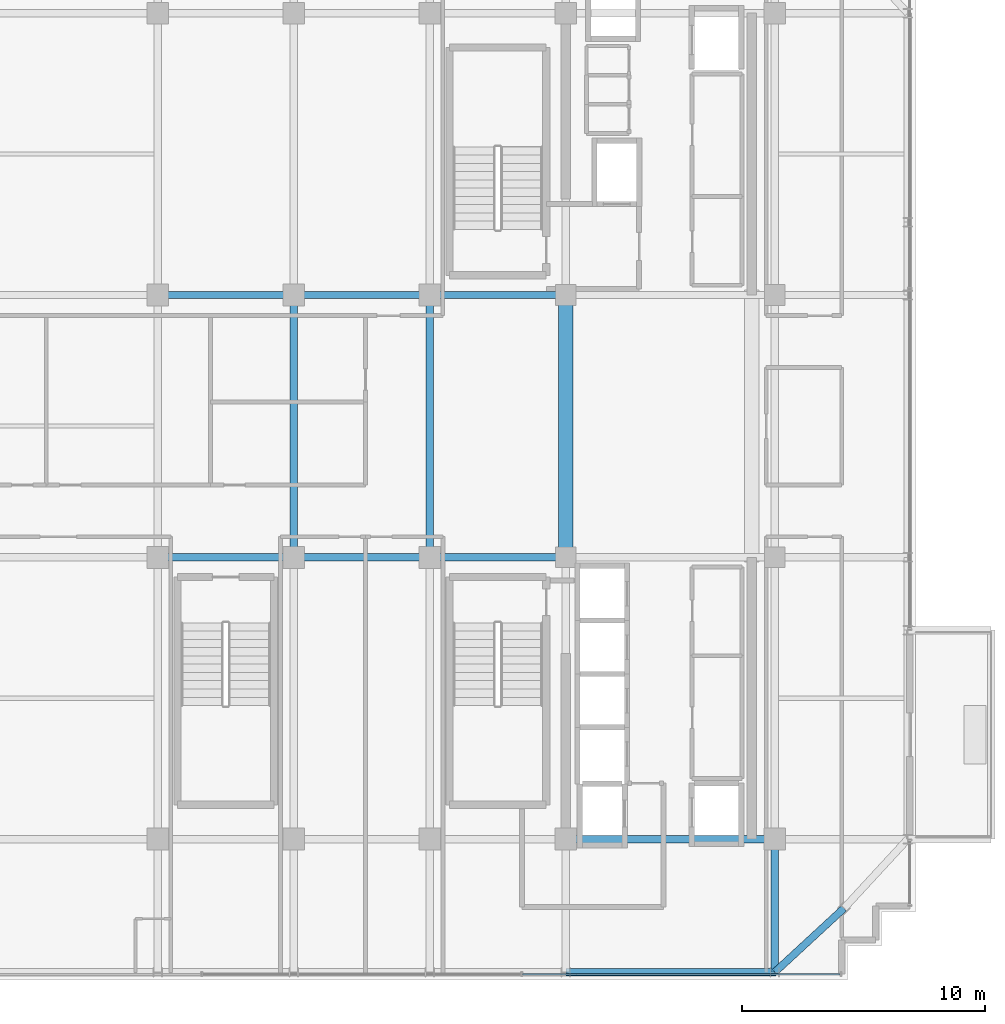
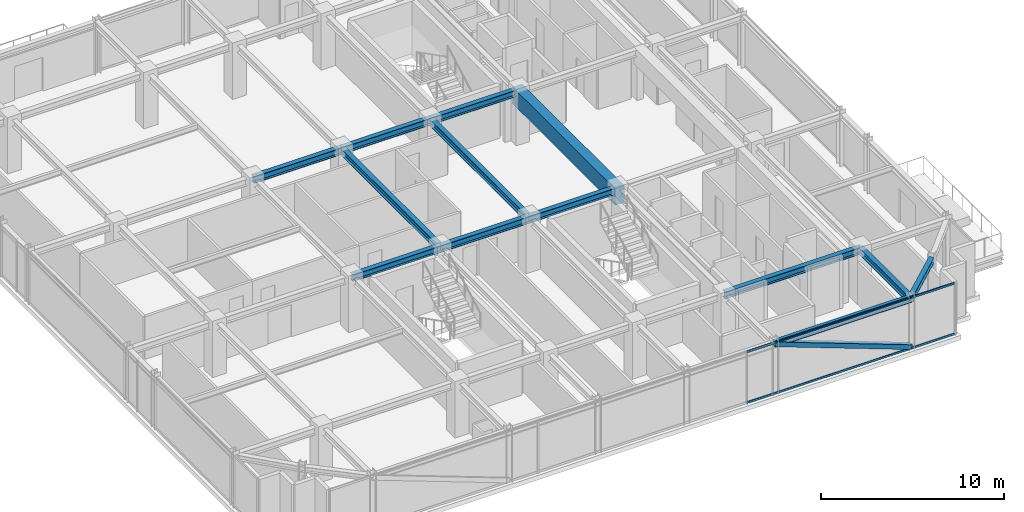
# One storey, part 11 of 31: 13 beams, 3 members, 1 element without a shape of its own.
"""IFC4 building model written with IfcOpenShell, lengths in metres."""

from ifc_helpers import new_model, si_unit, direction, frame, origin, origin_2d, place, context, subcontext, project, spatial, rectangle, hollow_rectangle, i_section, extrude, source, transform, mapped, material, material_profile, profile_set, type_object, element, aggregate, save


model = new_model("IFC4")

# Units and contexts
model_context = context("Model", 3, precision=1e-05, world=origin(), true_north=direction((0.0, 1.0)))
body_context = subcontext(model_context, "Body", "Model", "MODEL_VIEW")
ifc_project = project(units=[si_unit("LENGTHUNIT", "METRE"), si_unit("AREAUNIT", "SQUARE_METRE"), si_unit("VOLUMEUNIT", "CUBIC_METRE"), si_unit("PLANEANGLEUNIT", "RADIAN"), si_unit("MASSUNIT", "GRAM", prefix="KILO")], contexts=[model_context])

# Site, building, storey
site_placement = place(None, origin())
site = spatial("IfcSite", under=ifc_project, at=site_placement, CompositionType="ELEMENT")
building_placement = place(site_placement, origin())
building = spatial("IfcBuilding", under=site, at=building_placement, Name="Nahalor Promenade Grand Hotel", CompositionType="ELEMENT")
storey_placement = place(building_placement, frame((0.0, 0.0, 327.14990234375)))
storey = spatial("IfcBuildingStorey", under=building, at=storey_placement, Name="L84", CompositionType="ELEMENT", Elevation=327.14990234375)

# Beams
ifc_material_1 = material(Name="Concrete B-60 (C50/60)", Category="concrete")
ifc_material_profile_1 = material_profile(ifc_material_1, rectangle(XDim=0.6, YDim=1.1, at=origin_2d()), Name="RC 600x1100")
ifc_profile_set_1 = profile_set([ifc_material_profile_1], Name="Concrete B-60 (C50/60)")
beam_type_1 = type_object("IfcBeamType", Name="Beam-Lintel-RC1100", PredefinedType="LINTEL", material=ifc_profile_set_1)
shared_shape_1 = source(origin(), body_context, "Body", "SweptSolid", [
    extrude(rectangle(XDim=0.6, YDim=1.1, at=origin_2d()), origin(), (0.0, 0.0, 1.0), 11.2001953125),
])
beam_1_placement = place(storey_placement, frame((8.39990234375, -5.60009765625, 2.9501953125), z_axis=(0.0, 1.0, 0.0), x_axis=(-1.0, 0.0, 0.0)))
element("IfcBeam", 1, at=beam_1_placement, inside=storey, type_object=beam_type_1, Name="BM-L84-LINT-W", PredefinedType="LINTEL", context=body_context, shape_type="MappedRepresentation", body=[
    mapped(shared_shape_1, transform((0.0, 0.0, 0.0), scale=1.0)),
])
ifc_material_2 = material(Name="Steel S355JR", Category="steel")
ifc_material_profile_2 = material_profile(ifc_material_2, i_section(OverallWidth=0.3, OverallDepth=0.45, WebThickness=0.014, FlangeThickness=0.026, at=origin_2d()), Name="HEB 450")
ifc_profile_set_2 = profile_set([ifc_material_profile_2], Name="Steel S355JR")
beam_type_2 = type_object("IfcBeamType", Name="Beam-Girder-HEB450", PredefinedType="BEAM", material=ifc_profile_set_2)
shared_shape_2 = source(origin(), body_context, "Body", "SweptSolid", [
    extrude(i_section(OverallWidth=0.3, OverallDepth=0.45, WebThickness=0.014, FlangeThickness=0.026, at=origin_2d()), origin(), (0.0, 0.0, 1.0), 8.60009765625),
])
beam_2_placement = place(storey_placement, frame((8.39990234375, -17.0, 3.275146484375), z_axis=(1.0, 0.0, 0.0), x_axis=(0.0, 1.0, 0.0)))
element("IfcBeam", 2, at=beam_2_placement, inside=storey, type_object=beam_type_2, Name="BM-L84-GX-0-5", PredefinedType="BEAM", context=body_context, shape_type="MappedRepresentation", body=[
    mapped(shared_shape_2, transform((0.0, 0.0, 0.0), scale=1.0)),
])
shared_shape_3 = source(origin(), body_context, "Body", "SweptSolid", [
    extrude(i_section(OverallWidth=0.3, OverallDepth=0.45, WebThickness=0.014, FlangeThickness=0.026, at=origin_2d()), origin(), (0.0, 0.0, 1.0), 5.599853515625),
])
for number, where, z_axis, x_axis, name in (
    (3, (-8.39990234375, -5.39990234375, 3.275146484375), (1.0, 0.0, 0.0), (0.0, 1.0, 0.0), "BM-L84-GX-1-2"),
    (4, (2.800048828125, -5.39990234375, 3.275146484375), (1.0, 0.0, 0.0), (0.0, 1.0, 0.0), "BM-L84-GX-1-4"),
    (5, (-8.39990234375, 5.39990234375, 3.275146484375), (1.0, 0.0, 0.0), (0.0, 1.0, 0.0), "BM-L84-GX-2-2"),
    (6, (2.800048828125, 5.39990234375, 3.275146484375), (1.0, 0.0, 0.0), (0.0, 1.0, 0.0), "BM-L84-GX-2-4"),
):
    element("IfcBeam", number, at=place(storey_placement, frame(where, z_axis=z_axis, x_axis=x_axis)), inside=storey, type_object=beam_type_2, Name=name, PredefinedType="BEAM", context=body_context, shape_type="MappedRepresentation", body=[
        mapped(shared_shape_3, transform((0.0, 0.0, 0.0), scale=1.0)),
    ])
shared_shape_4 = source(origin(), body_context, "Body", "SweptSolid", [
    extrude(i_section(OverallWidth=0.3, OverallDepth=0.45, WebThickness=0.014, FlangeThickness=0.026, at=origin_2d()), origin(), (0.0, 0.0, 1.0), 5.60009765625),
])
for number, where, z_axis, x_axis, name in (
    (7, (-2.800048828125, -5.39990234375, 3.275146484375), (1.0, 0.0, 0.0), (0.0, 1.0, 0.0), "BM-L84-GX-1-3"),
    (8, (-2.800048828125, 5.39990234375, 3.275146484375), (1.0, 0.0, 0.0), (0.0, 1.0, 0.0), "BM-L84-GX-2-3"),
):
    element("IfcBeam", number, at=place(storey_placement, frame(where, z_axis=z_axis, x_axis=x_axis)), inside=storey, type_object=beam_type_2, Name=name, PredefinedType="BEAM", context=body_context, shape_type="MappedRepresentation", body=[
        mapped(shared_shape_4, transform((0.0, 0.0, 0.0), scale=1.0)),
    ])
shared_shape_5 = source(origin(), body_context, "Body", "SweptSolid", [
    extrude(i_section(OverallWidth=0.3, OverallDepth=0.45, WebThickness=0.014, FlangeThickness=0.026, at=origin_2d()), origin(), (0.0, 0.0, 1.0), 10.7998046875),
])
for number, where, z_axis, x_axis, name in (
    (9, (-2.800048828125, -5.39990234375, 3.275146484375), (0.0, 1.0, 0.0), (-1.0, 0.0, 0.0), "BM-L84-GY-2-2"),
    (10, (2.800048828125, -5.39990234375, 3.275146484375), (0.0, 1.0, 0.0), (-1.0, 0.0, 0.0), "BM-L84-GY-3-2"),
):
    element("IfcBeam", number, at=place(storey_placement, frame(where, z_axis=z_axis, x_axis=x_axis)), inside=storey, type_object=beam_type_2, Name=name, PredefinedType="BEAM", context=body_context, shape_type="MappedRepresentation", body=[
        mapped(shared_shape_5, transform((0.0, 0.0, 0.0), scale=1.0)),
    ])
shared_shape_6 = source(origin(), body_context, "Body", "SweptSolid", [
    extrude(i_section(OverallWidth=0.3, OverallDepth=0.45, WebThickness=0.014, FlangeThickness=0.026, at=origin_2d()), origin(), (0.0, 0.0, 1.0), 5.47998046875),
])
beam_3_placement = place(storey_placement, frame((17.0, -22.47998046875, 3.275146484375), z_axis=(0.0, 1.0, 0.0), x_axis=(-1.0, 0.0, 0.0)))
element("IfcBeam", 11, at=beam_3_placement, inside=storey, type_object=beam_type_2, Name="BM-L84-GY-5-0", PredefinedType="BEAM", context=body_context, shape_type="MappedRepresentation", body=[
    mapped(shared_shape_6, transform((0.0, 0.0, 0.0), scale=1.0)),
])
ifc_material_profile_3 = material_profile(ifc_material_2, i_section(OverallWidth=0.3, OverallDepth=0.36, WebThickness=0.0125, FlangeThickness=0.0225, at=origin_2d()), Name="HEB 360")
ifc_profile_set_3 = profile_set([ifc_material_profile_3], Name="Steel S355JR")
beam_type_3 = type_object("IfcBeamType", Name="Beam-Spandrel-HEB360", PredefinedType="SPANDREL", material=ifc_profile_set_3)
shared_shape_7 = source(origin(), body_context, "Body", "SweptSolid", [
    extrude(i_section(OverallWidth=0.3, OverallDepth=0.36, WebThickness=0.0125, FlangeThickness=0.0225, at=origin_2d()), origin(), (0.0, 0.0, 1.0), 8.60009765625),
])
beam_4_placement = place(storey_placement, frame((8.39990234375, -22.47998046875, 3.320068359375), z_axis=(1.0, 0.0, 0.0), x_axis=(0.0, 1.0, 0.0)))
element("IfcBeam", 12, at=beam_4_placement, inside=storey, type_object=beam_type_3, Name="BM-L84-SP-S-4", PredefinedType="SPANDREL", context=body_context, shape_type="MappedRepresentation", body=[
    mapped(shared_shape_7, transform((0.0, 0.0, 0.0), scale=1.0)),
])
shared_shape_8 = source(origin(), body_context, "Body", "SweptSolid", [
    extrude(i_section(OverallWidth=0.3, OverallDepth=0.36, WebThickness=0.0125, FlangeThickness=0.0225, at=origin_2d()), origin(), (0.0, 0.0, 1.0), 3.878173828125),
])
beam_5_placement = place(storey_placement, frame((17.0, -22.47998046875, 3.320068359375), z_axis=(0.73492893846, 0.678144125843, 0.0), x_axis=(-0.678144125843, 0.73492893846, 0.0)))
element("IfcBeam", 13, at=beam_5_placement, inside=storey, type_object=beam_type_3, Name="BM-L84-SPC-SE-1", PredefinedType="SPANDREL", context=body_context, shape_type="MappedRepresentation", body=[
    mapped(shared_shape_8, transform((0.0, 0.0, 0.0), scale=1.0)),
])

# Member
ifc_material_profile_4 = material_profile(ifc_material_2, hollow_rectangle(XDim=0.3, YDim=0.3, WallThickness=0.016, at=origin_2d()), Name="SHS 300x300x16")
ifc_profile_set_4 = profile_set([ifc_material_profile_4], Name="Steel S355JR")
member_type_1 = type_object("IfcMemberType", Name="Mem-CrownBrace-SHS300", PredefinedType="BRACE", material=ifc_profile_set_4)
shared_shape_9 = source(origin(), body_context, "Body", "SweptSolid", [
    extrude(hollow_rectangle(XDim=0.3, YDim=0.3, WallThickness=0.016, at=origin_2d()), origin(), (0.0, 0.0, 1.0), 9.176025390625),
])
member_1_placement = place(storey_placement, frame((17.0, -22.47998046875, 0.150146484375), z_axis=(-0.937224884492, 0.0, 0.348725559559), x_axis=(0.0, -1.0, 0.0)))
element("IfcMember", 14, at=member_1_placement, inside=storey, type_object=member_type_1, Name="EXO-L84-S-1", PredefinedType="BRACE", context=body_context, shape_type="MappedRepresentation", body=[
    mapped(shared_shape_9, transform((0.0, 0.0, 0.0), scale=1.0)),
])

# Curtain wall, members
ifc_material_3 = material(Name="Anodised Bronze Aluminium EN AW-6063 T6", Category="aluminium")
curtain_wall_type = type_object("IfcCurtainWallType", Name="CW2 Typical Hotel Flush Bronze Unitised Curtain Wall", PredefinedType="USERDEFINED", material=ifc_material_3)
curtain_wall_placement = place(storey_placement, origin())
curtain_wall = element("IfcCurtainWall", 15, at=curtain_wall_placement, inside=storey, type_object=curtain_wall_type, Name="L84 Curtain Wall CW-L84-S-1", ObjectType="UNITISED_CURTAIN_WALL", PredefinedType="USERDEFINED")
ifc_material_profile_5 = material_profile(ifc_material_3, hollow_rectangle(XDim=0.065, YDim=0.13, WallThickness=0.004, at=origin_2d()), Name="CWT 65x130x4")
ifc_profile_set_5 = profile_set([ifc_material_profile_5], Name="Anodised Bronze Aluminium EN AW-6063 T6")
member_type_2 = type_object("IfcMemberType", Name="CWT2 Typical Bronze Transom 65x130", PredefinedType="USERDEFINED", material=ifc_profile_set_5)
shared_shape_10 = source(origin(), body_context, "Body", "SweptSolid", [
    extrude(hollow_rectangle(XDim=0.065, YDim=0.13, WallThickness=0.004, at=origin_2d()), origin(), (0.0, 0.0, 1.0), 13.075927734375),
])
member_2_placement = place(storey_placement, frame((6.619140625, -22.56005859375, 0.065185546875), z_axis=(1.0, 0.0, 0.0), x_axis=(0.0, 1.0, 0.0)))
member_2 = element("IfcMember", 16, at=member_2_placement, type_object=member_type_2, Name="CW-L84-S-1 Transom 2-0", ObjectType="TRANSOM", PredefinedType="USERDEFINED", context=body_context, shape_type="MappedRepresentation", body=[
    mapped(shared_shape_10, transform((0.0, 0.0, 0.0), scale=1.0)),
])
member_3_placement = place(storey_placement, frame((6.619140625, -22.56005859375, 3.43505859375), z_axis=(1.0, 0.0, 0.0), x_axis=(0.0, 1.0, 0.0)))
member_3 = element("IfcMember", 17, at=member_3_placement, type_object=member_type_2, Name="CW-L84-S-1 Transom 2-1", ObjectType="TRANSOM", PredefinedType="USERDEFINED", context=body_context, shape_type="MappedRepresentation", body=[
    mapped(shared_shape_10, transform((0.0, 0.0, 0.0), scale=1.0)),
])
aggregate(curtain_wall, [member_2, member_3])

save(model, "model.ifc")
